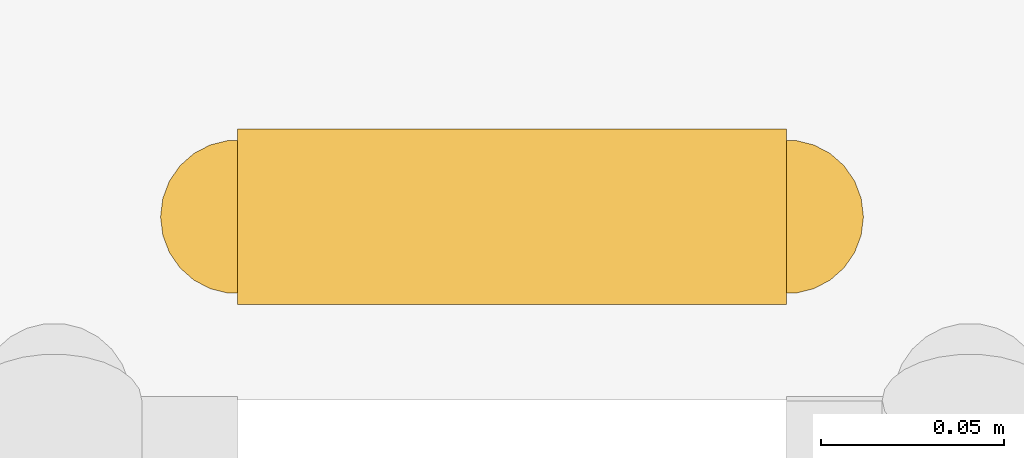
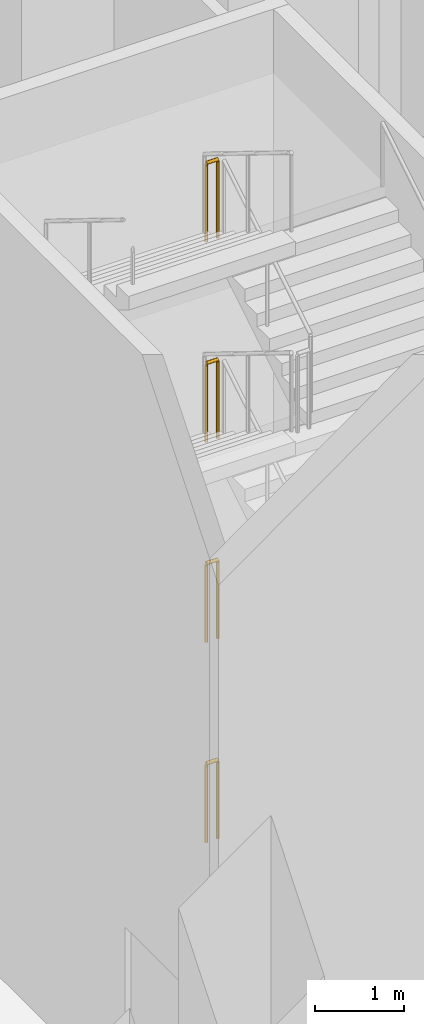
# One storey, part 30 of 31: 4 railings.
"""IFC4 building model written with IfcOpenShell, lengths in metres."""

from ifc_helpers import new_model, si_unit, direction, frame, origin, origin_2d, place, context, subcontext, project, spatial, circle, extrude, material, type_object, element, save


model = new_model("IFC4")

# Units and contexts
model_context = context("Model", 3, precision=1e-05, world=origin(), true_north=direction((0.0, 1.0)))
body_context = subcontext(model_context, "Body", "Model", "MODEL_VIEW")
ifc_project = project(units=[si_unit("LENGTHUNIT", "METRE"), si_unit("AREAUNIT", "SQUARE_METRE"), si_unit("VOLUMEUNIT", "CUBIC_METRE"), si_unit("PLANEANGLEUNIT", "RADIAN"), si_unit("MASSUNIT", "GRAM", prefix="KILO")], contexts=[model_context])

# Site, building, storey
site_placement = place(None, origin())
site = spatial("IfcSite", under=ifc_project, at=site_placement, CompositionType="ELEMENT")
building_placement = place(site_placement, origin())
building = spatial("IfcBuilding", under=site, at=building_placement, Name="Calabash Gate Tower", CompositionType="ELEMENT")
storey_placement = place(building_placement, frame((0.0, 0.0, 9.0)))
storey = spatial("IfcBuildingStorey", under=building, at=storey_placement, Name="L01", CompositionType="ELEMENT", Elevation=9.0)

# Railings
ifc_material = material(Name="Black powder-coated steel balusters", Category="steel")
railing_type = type_object("IfcRailingType", Name="Stair guard RL1100", PredefinedType="GUARDRAIL", material=ifc_material)
for number, where, name in (
    (1, (-35.860107421875, 18.1630859375, 1.375), "L01 PS5 stair guard 2"),
    (2, (-35.860107421875, 18.1630859375, 4.125), "L01 PS5 stair guard 6"),
    (3, (-35.860107421875, 18.1630859375, 6.875), "L01 PS5 stair guard 10"),
    (4, (-35.860107421875, 18.1630859375, 9.625), "L01 PS5 stair guard 14"),
):
    element("IfcRailing", number, at=place(storey_placement, frame(where)), inside=storey, type_object=railing_type, Name=name, PredefinedType="GUARDRAIL", context=body_context, shape_type="SweptSolid", body=[
        extrude(circle(Radius=0.02392578125, at=origin_2d()), frame((0.0, 0.0, 1.076171875), z_axis=(-1.0, 0.0, 0.0), x_axis=(0.0, -1.0, 0.0)), (0.0, 0.0, 1.0), 0.14990234375),
        extrude(circle(Radius=0.02099609375, at=origin_2d()), origin(), (0.0, 0.0, 1.0), 1.052001953125),
        extrude(circle(Radius=0.02099609375, at=origin_2d()), frame((-0.14990234375, 0.0, 0.0)), (0.0, 0.0, 1.0), 1.052001953125),
    ])

save(model, "model.ifc")
